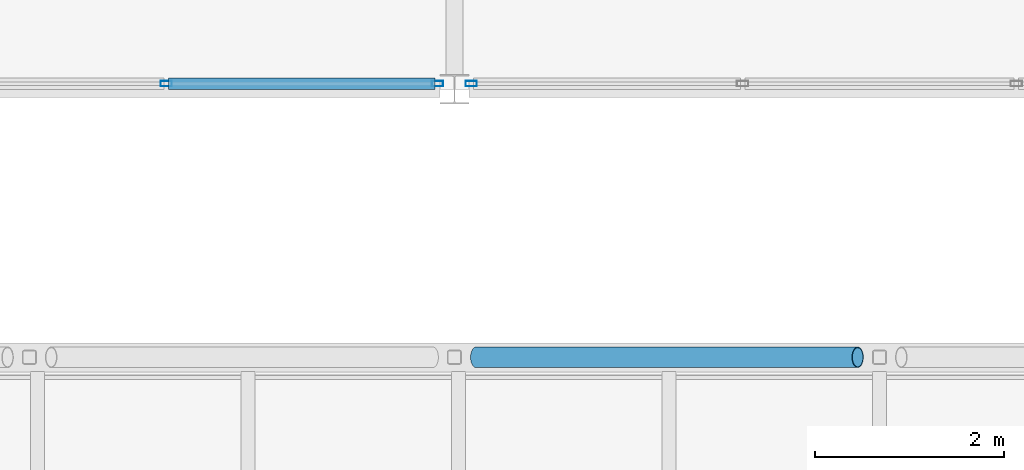
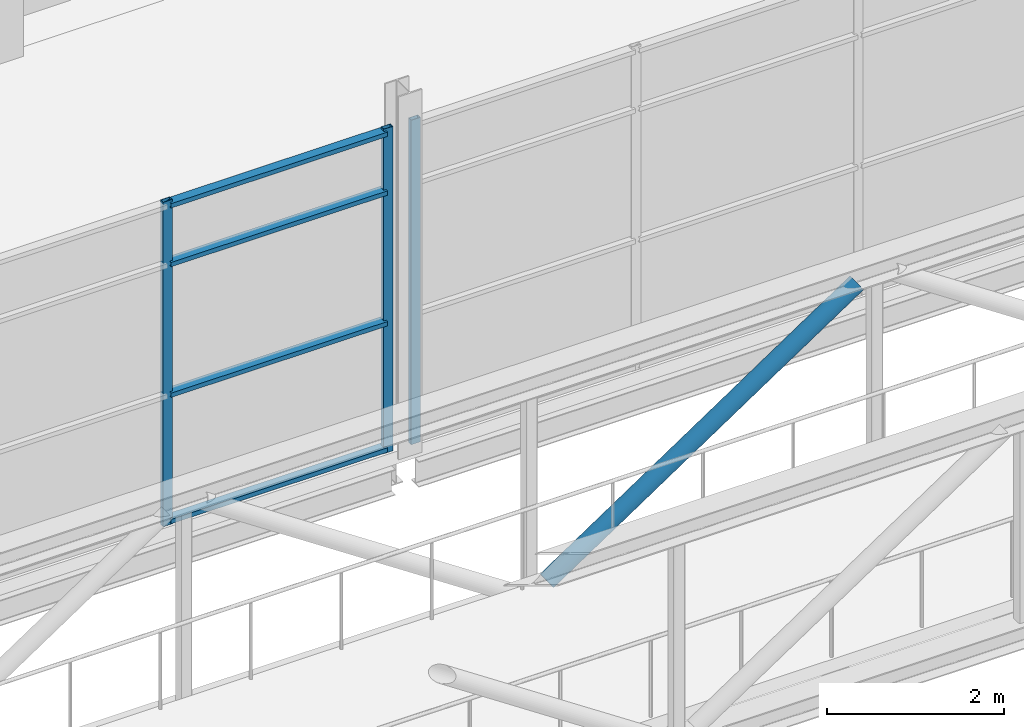
# One storey, part 30 of 94: 8 members, 2 elements without a shape of their own.
"""IFC4 building model written with IfcOpenShell, lengths in metres."""

from ifc_helpers import new_model, si_unit, direction, frame, origin, origin_2d, place, context, subcontext, project, spatial, hollow_rectangle, hollow_circle, extrude, material, layer, layer_set, material_profile, profile_set, type_object, element, aggregate, save


model = new_model("IFC4")

# Units and contexts
model_context = context("Model", 3, precision=1e-05, world=origin(), true_north=direction((0.0, 1.0)))
body_context = subcontext(model_context, "Body", "Model", "MODEL_VIEW")
ifc_project = project(units=[si_unit("LENGTHUNIT", "METRE"), si_unit("AREAUNIT", "SQUARE_METRE"), si_unit("VOLUMEUNIT", "CUBIC_METRE"), si_unit("PLANEANGLEUNIT", "RADIAN"), si_unit("MASSUNIT", "GRAM", prefix="KILO")], contexts=[model_context])

# Site, building, storey
site_placement = place(None, origin())
site = spatial("IfcSite", under=ifc_project, at=site_placement, CompositionType="ELEMENT")
building_placement = place(site_placement, origin())
building = spatial("IfcBuilding", under=site, at=building_placement, Name="Shorebreak Coast Museum", CompositionType="ELEMENT")
storey_placement = place(building_placement, frame((0.0, 0.0, 31.0)))
storey = spatial("IfcBuildingStorey", under=building, at=storey_placement, Name="L05", CompositionType="ELEMENT", Elevation=31.0)

# Member
ifc_material_1 = material(Name="Steel Grade C350L0", Category="steel")
ifc_material_profile_1 = material_profile(ifc_material_1, hollow_circle(Radius=0.109619140625, WallThickness=0.00830078125, at=origin_2d()), Name="219.1x8.2 CHS")
ifc_profile_set_1 = profile_set([ifc_material_profile_1], Name="Steel Grade C350L0")
member_type_1 = type_object("IfcMemberType", Name="Atrium bridge truss diagonal 219.1x8.2 CHS", PredefinedType="BRACE", material=ifc_profile_set_1)
member_1_placement = place(storey_placement, frame((81.23095703125, 78.16259765625, -0.175048828125), z_axis=(0.832042555046, 0.0, 0.554711804987), x_axis=(0.0, 1.0, 0.0)))
element("IfcMember", 1, at=member_1_placement, inside=storey, type_object=member_type_1, Name="Atrium bridge truss BR3 side B diagonal D05", PredefinedType="BRACE", context=body_context, shape_type="SweptSolid", body=[
    extrude(hollow_circle(Radius=0.109619140625, WallThickness=0.00830078125, at=origin_2d()), origin(), (0.0, 0.0, 1.0), 4.853271484375),
])

# Curtain wall, members
ifc_material_2 = material(Name="Aluminium", Category="aluminium")
ifc_layer = layer(ifc_material_2, 0.1201171875)
ifc_layer_set = layer_set([ifc_layer], Name="Aluminium")
curtain_wall_type = type_object("IfcCurtainWallType", Name="Atrium fire screen", PredefinedType="NOTDEFINED", material=ifc_layer_set)
curtain_wall_1_placement = place(storey_placement, origin())
curtain_wall_1 = element("IfcCurtainWall", 2, at=curtain_wall_1_placement, inside=storey, type_object=curtain_wall_type, Name="Atrium screen L05 N 69", PredefinedType="NOTDEFINED")
ifc_material_3 = material(Name="Aluminium", Category="aluminium")
ifc_material_profile_2 = material_profile(ifc_material_3, hollow_rectangle(XDim=0.06005859375, YDim=0.1201171875, WallThickness=0.00341796875, at=origin_2d()), Name="AL 120x60 RHS")
ifc_profile_set_2 = profile_set([ifc_material_profile_2], Name="Aluminium")
member_type_2 = type_object("IfcMemberType", Name="Screen mullion 50 x 120", PredefinedType="MULLION", material=ifc_profile_set_2)
member_2_placement = place(storey_placement, frame((77.94873046875, 81.06005859375, 0.0), z_axis=(0.0, 0.0, 1.0), x_axis=(0.0, 1.0, 0.0)))
member_2 = element("IfcMember", 3, at=member_2_placement, type_object=member_type_2, Name="CW4 mullion 3", PredefinedType="MULLION", context=body_context, shape_type="SweptSolid", body=[
    extrude(hollow_rectangle(XDim=0.06005859375, YDim=0.1201171875, WallThickness=0.00341796875, at=origin_2d()), origin(), (0.0, 0.0, 1.0), 4.469482421875),
])
member_3_placement = place(storey_placement, frame((80.821533203125, 81.06005859375, 0.0), z_axis=(0.0, 0.0, 1.0), x_axis=(0.0, 1.0, 0.0)))
member_3 = element("IfcMember", 4, at=member_3_placement, type_object=member_type_2, Name="CW4 mullion 4", PredefinedType="MULLION", context=body_context, shape_type="SweptSolid", body=[
    extrude(hollow_rectangle(XDim=0.06005859375, YDim=0.1201171875, WallThickness=0.00341796875, at=origin_2d()), origin(), (0.0, 0.0, 1.0), 4.469482421875),
])

# Curtain wall, member
curtain_wall_2_placement = place(storey_placement, origin())
curtain_wall_2 = element("IfcCurtainWall", 5, at=curtain_wall_2_placement, inside=storey, type_object=curtain_wall_type, Name="Atrium screen L05 N 70", PredefinedType="NOTDEFINED")
member_4_placement = place(storey_placement, frame((81.178466796875, 81.06005859375, 0.0), z_axis=(0.0, 0.0, 1.0), x_axis=(0.0, 1.0, 0.0)))
member_4 = element("IfcMember", 6, at=member_4_placement, type_object=member_type_2, Name="CW5 mullion 1", PredefinedType="MULLION", context=body_context, shape_type="SweptSolid", body=[
    extrude(hollow_rectangle(XDim=0.06005859375, YDim=0.1201171875, WallThickness=0.00341796875, at=origin_2d()), origin(), (0.0, 0.0, 1.0), 4.469482421875),
])
aggregate(curtain_wall_2, [member_4])

# Member
ifc_material_4 = material(Name="Aluminium", Category="aluminium")
ifc_material_profile_3 = material_profile(ifc_material_4, hollow_rectangle(XDim=0.1201171875, YDim=0.06005859375, WallThickness=0.00341796875, at=origin_2d()), Name="AL 60x120 RHS")
ifc_profile_set_3 = profile_set([ifc_material_profile_3], Name="Aluminium")
member_type_3 = type_object("IfcMemberType", Name="Screen transom 120 x 50", PredefinedType="USERDEFINED", material=ifc_profile_set_3)
member_5_placement = place(storey_placement, frame((77.973876953125, 81.06005859375, 0.06005859375), z_axis=(1.0, 0.0, 0.0), x_axis=(0.0, 1.0, 0.0)))
member_5 = element("IfcMember", 7, at=member_5_placement, type_object=member_type_3, Name="CW4 transom 3.1", ObjectType="TRANSOM", PredefinedType="USERDEFINED", context=body_context, shape_type="SweptSolid", body=[
    extrude(hollow_rectangle(XDim=0.1201171875, YDim=0.06005859375, WallThickness=0.00341796875, at=origin_2d()), origin(), (0.0, 0.0, 1.0), 2.822509765625),
])

member_6_placement = place(storey_placement, frame((77.973876953125, 81.06005859375, 1.800048828125), z_axis=(1.0, 0.0, 0.0), x_axis=(0.0, 1.0, 0.0)))
member_6 = element("IfcMember", 8, at=member_6_placement, type_object=member_type_3, Name="CW4 transom 3.2", ObjectType="TRANSOM", PredefinedType="USERDEFINED", context=body_context, shape_type="SweptSolid", body=[
    extrude(hollow_rectangle(XDim=0.1201171875, YDim=0.06005859375, WallThickness=0.00341796875, at=origin_2d()), origin(), (0.0, 0.0, 1.0), 2.822509765625),
])

member_7_placement = place(storey_placement, frame((77.973876953125, 81.06005859375, 3.60009765625), z_axis=(1.0, 0.0, 0.0), x_axis=(0.0, 1.0, 0.0)))
member_7 = element("IfcMember", 9, at=member_7_placement, type_object=member_type_3, Name="CW4 transom 3.3", ObjectType="TRANSOM", PredefinedType="USERDEFINED", context=body_context, shape_type="SweptSolid", body=[
    extrude(hollow_rectangle(XDim=0.1201171875, YDim=0.06005859375, WallThickness=0.00341796875, at=origin_2d()), origin(), (0.0, 0.0, 1.0), 2.822509765625),
])

member_8_placement = place(storey_placement, frame((77.973876953125, 81.06005859375, 4.409423828125), z_axis=(1.0, 0.0, 0.0), x_axis=(0.0, 1.0, 0.0)))
member_8 = element("IfcMember", 10, at=member_8_placement, type_object=member_type_3, Name="CW4 transom 3.4", ObjectType="TRANSOM", PredefinedType="USERDEFINED", context=body_context, shape_type="SweptSolid", body=[
    extrude(hollow_rectangle(XDim=0.1201171875, YDim=0.06005859375, WallThickness=0.00341796875, at=origin_2d()), origin(), (0.0, 0.0, 1.0), 2.822509765625),
])

aggregate(curtain_wall_1, [member_2, member_3, member_5, member_6, member_7, member_8])

save(model, "model.ifc")
